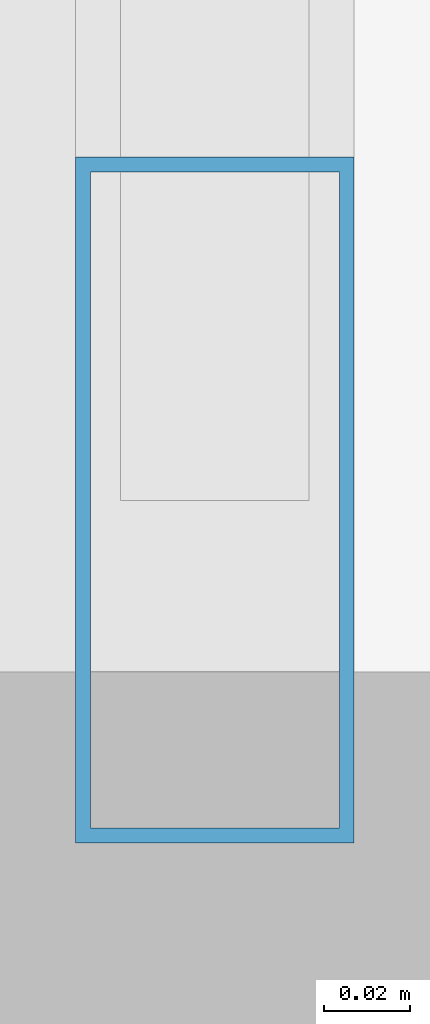
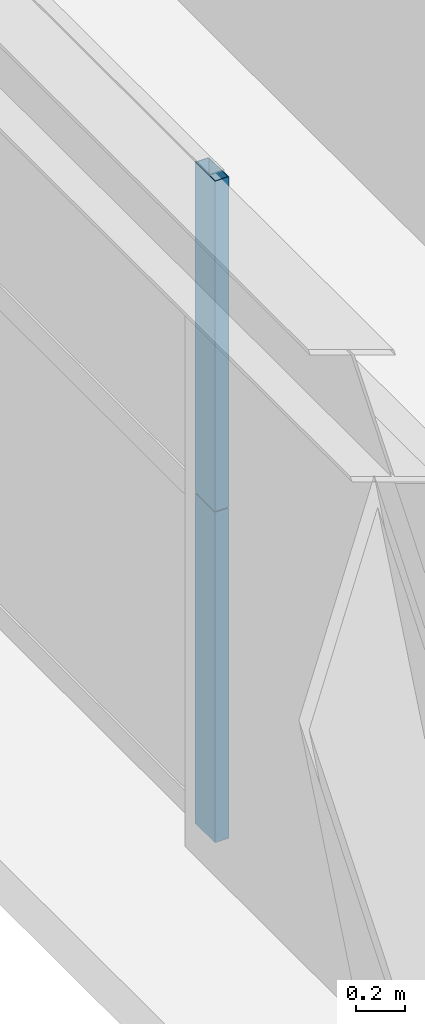
# One storey, part 8 of 45: 2 members, 1 element without a shape of its own.
"""IFC4 building model written with IfcOpenShell, lengths in metres."""

from ifc_helpers import new_model, si_unit, direction, frame, origin, origin_2d, place, context, subcontext, project, spatial, hollow_rectangle, extrude, source, transform, mapped, material, layer, layer_set, material_profile, profile_set, type_object, element, aggregate, save


model = new_model("IFC4")

# Units and contexts
model_context = context("Model", 3, precision=1e-05, world=origin(), true_north=direction((0.0, 1.0)))
body_context = subcontext(model_context, "Body", "Model", "MODEL_VIEW")
ifc_project = project(units=[si_unit("LENGTHUNIT", "METRE"), si_unit("AREAUNIT", "SQUARE_METRE"), si_unit("VOLUMEUNIT", "CUBIC_METRE"), si_unit("PLANEANGLEUNIT", "RADIAN"), si_unit("MASSUNIT", "GRAM", prefix="KILO"), si_unit("THERMODYNAMICTEMPERATUREUNIT", "KELVIN"), si_unit("POWERUNIT", "WATT")], contexts=[model_context])

# Site, building, storey
site_placement = place(None, origin())
site = spatial("IfcSite", under=ifc_project, at=site_placement, CompositionType="ELEMENT")
building_placement = place(site_placement, origin())
building = spatial("IfcBuilding", under=site, at=building_placement, Name="Yuzanri Waterfront Tower", CompositionType="ELEMENT")
storey_placement = place(building_placement, frame((0.0, 0.0, 191.5)))
storey = spatial("IfcBuildingStorey", under=building, at=storey_placement, Name="L50", CompositionType="ELEMENT", Elevation=191.5)

# Curtain wall, members
ifc_material_1 = material(Name="Anodized Architectural Bronze", Category="metal")
ifc_layer = layer(ifc_material_1, 0.159912109375)
ifc_layer_set = layer_set([ifc_layer], Name="Anodized Architectural Bronze")
curtain_wall_type = type_object("IfcCurtainWallType", Name="Anodized Bronze Mid-Rise Residential Acoustic Unitized Curtain Wall 7200", PredefinedType="NOTDEFINED", material=ifc_layer_set)
curtain_wall_placement = place(storey_placement, origin())
curtain_wall = element("IfcCurtainWall", 1, at=curtain_wall_placement, inside=storey, type_object=curtain_wall_type, Name="L50 Curtain Wall CW-L50-WL", PredefinedType="NOTDEFINED")
ifc_material_2 = material(Name="Anodized Architectural Bronze", Category="metal")
ifc_material_profile = material_profile(ifc_material_2, hollow_rectangle(XDim=0.06494140625, YDim=0.159912109375, WallThickness=0.00341796875, at=origin_2d()), Name="CWM 65x160")
ifc_profile_set = profile_set([ifc_material_profile], Name="Anodized Architectural Bronze")
member_type = type_object("IfcMemberType", Name="Anodized Bronze Upper-Zone Curtain-Wall Mullion 65x160", PredefinedType="MULLION", material=ifc_profile_set)
shared_shape = source(origin(), body_context, "Body", "SweptSolid", [
    extrude(hollow_rectangle(XDim=0.06494140625, YDim=0.159912109375, WallThickness=0.00341796875, at=origin_2d()), origin(), (0.0, 0.0, 1.0), 1.637939453125),
])
member_1_placement = place(storey_placement, frame((15.050048828125, 11.090087890625, 0.0), z_axis=(0.0, 0.0, 1.0), x_axis=(1.0, 0.0, 0.0)))
member_1 = element("IfcMember", 2, at=member_1_placement, type_object=member_type, Name="CW-L50-WL Lower Mullion 00", PredefinedType="MULLION", context=body_context, shape_type="MappedRepresentation", body=[
    mapped(shared_shape, transform((0.0, 0.0, 0.0), scale=1.0)),
])
member_2_placement = place(storey_placement, frame((15.050048828125, 11.090087890625, 1.64208984375), z_axis=(0.0, 0.0, 1.0), x_axis=(1.0, 0.0, 0.0)))
member_2 = element("IfcMember", 3, at=member_2_placement, type_object=member_type, Name="CW-L50-WL Upper Mullion 00", PredefinedType="MULLION", context=body_context, shape_type="MappedRepresentation", body=[
    mapped(shared_shape, transform((0.0, 0.0, 0.0), scale=1.0)),
])
aggregate(curtain_wall, [member_1, member_2])

save(model, "model.ifc")
